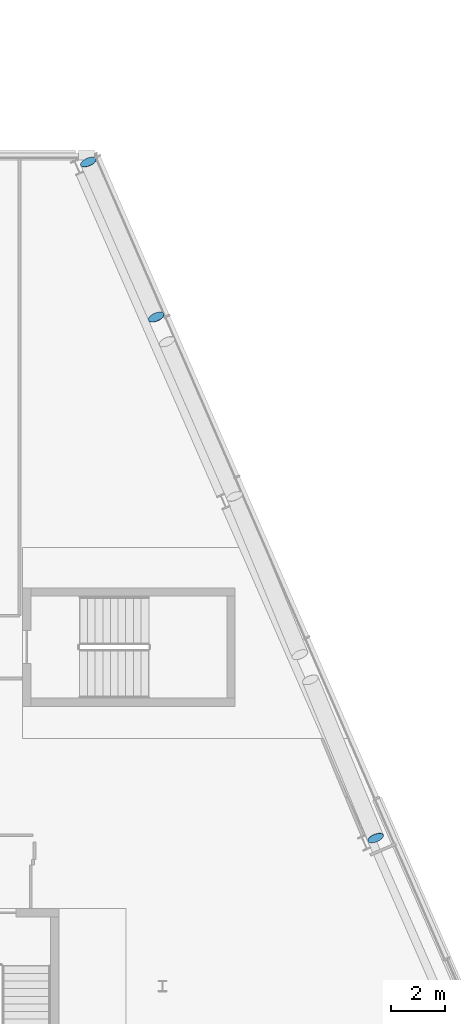
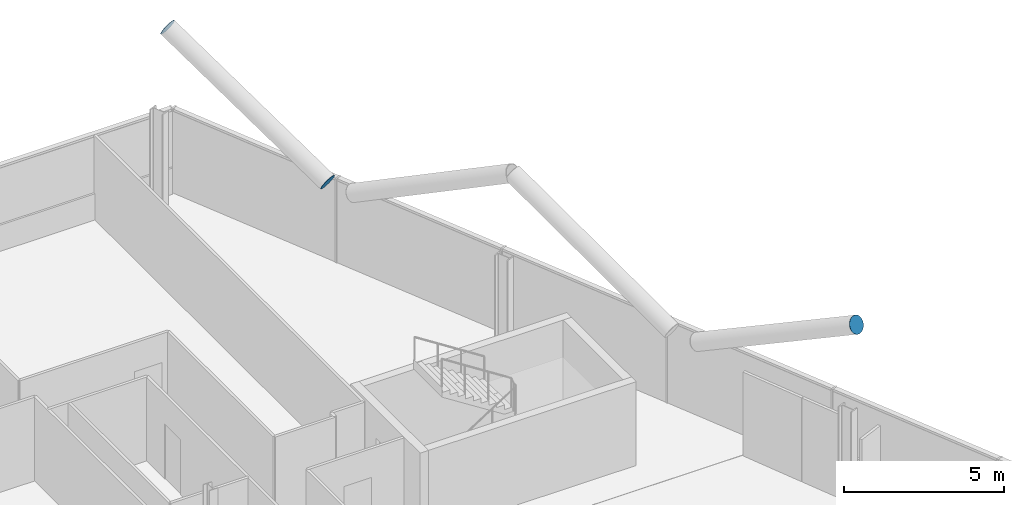
# One storey, part 24 of 27: 3 discrete accessories.
"""IFC4 building model written with IfcOpenShell, lengths in metres."""

from ifc_helpers import new_model, si_unit, direction, frame, origin, origin_2d, place, context, subcontext, project, spatial, circle, extrude, material, material_profile, profile_set, type_object, element, save


model = new_model("IFC4")

# Units and contexts
model_context = context("Model", 3, precision=1e-05, world=origin(), true_north=direction((0.0, 1.0)))
body_context = subcontext(model_context, "Body", "Model", "MODEL_VIEW")
ifc_project = project(units=[si_unit("LENGTHUNIT", "METRE"), si_unit("AREAUNIT", "SQUARE_METRE"), si_unit("VOLUMEUNIT", "CUBIC_METRE"), si_unit("PLANEANGLEUNIT", "RADIAN"), si_unit("MASSUNIT", "GRAM", prefix="KILO")], contexts=[model_context])

# Site, building, storey
site_placement = place(None, origin())
site = spatial("IfcSite", under=ifc_project, at=site_placement, CompositionType="ELEMENT")
building_placement = place(site_placement, origin())
building = spatial("IfcBuilding", under=site, at=building_placement, Name="Wharfspan Tower", CompositionType="ELEMENT")
storey_placement = place(building_placement, frame((0.0, 0.0, 221.5)))
storey = spatial("IfcBuildingStorey", under=building, at=storey_placement, Name="L55", CompositionType="ELEMENT", Elevation=221.5)

# Discrete accessories
ifc_material = material(Name="Steel S460NH", Category="steel")
ifc_material_profile = material_profile(ifc_material, circle(Radius=0.304932, at=origin_2d()))
ifc_profile_set = profile_set([ifc_material_profile], Name="Steel S460NH")
discrete_accessory_type = type_object("IfcDiscreteAccessoryType", Name="End plate CHS 610x25", PredefinedType="BRACKET", material=ifc_profile_set)
for number, where, z_axis, x_axis, name in (
    (1, (79.826904, 16.943115, 6.5), (0.338259, -0.821486, 0.459066), (0.924676, 0.380749, 0.0), "End plate CHS 610x25"),
    (2, (71.773193, 36.061523, 3.161865), (-0.341058, 0.803922, 0.487226), (-0.920584, -0.390551, 0.0), "End plate CHS 610x25"),
    (3, (69.284424, 41.753662, 6.5), (-0.345075, 0.81339, 0.468316), (-0.920586, -0.390551, -2e-06), "End plate CHS 610x25"),
):
    element("IfcDiscreteAccessory", number, at=place(storey_placement, frame(where, z_axis=z_axis, x_axis=x_axis)), inside=storey, type_object=discrete_accessory_type, Name=name, PredefinedType="BRACKET", context=body_context, shape_type="SweptSolid", body=[
        extrude(circle(Radius=0.304932, at=origin_2d()), origin(), (0.0, 0.0, 1.0), 0.01001),
    ])

save(model, "model.ifc")
